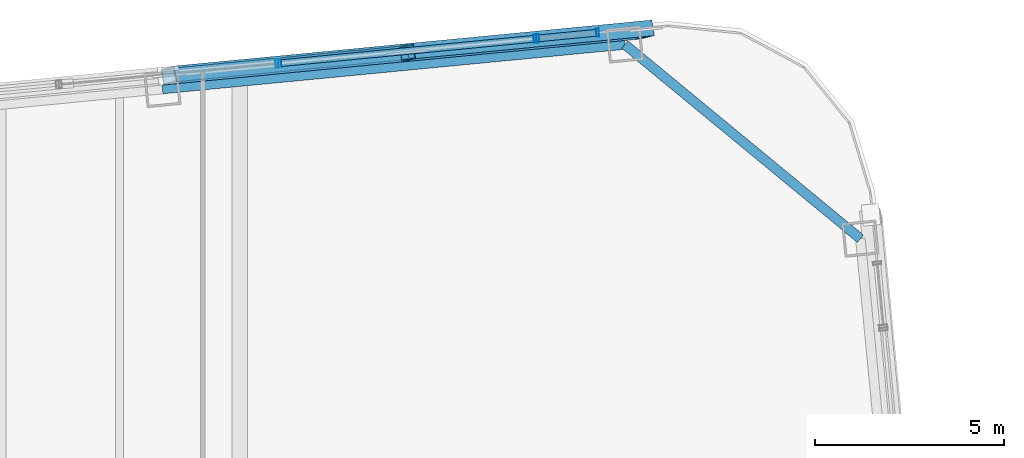
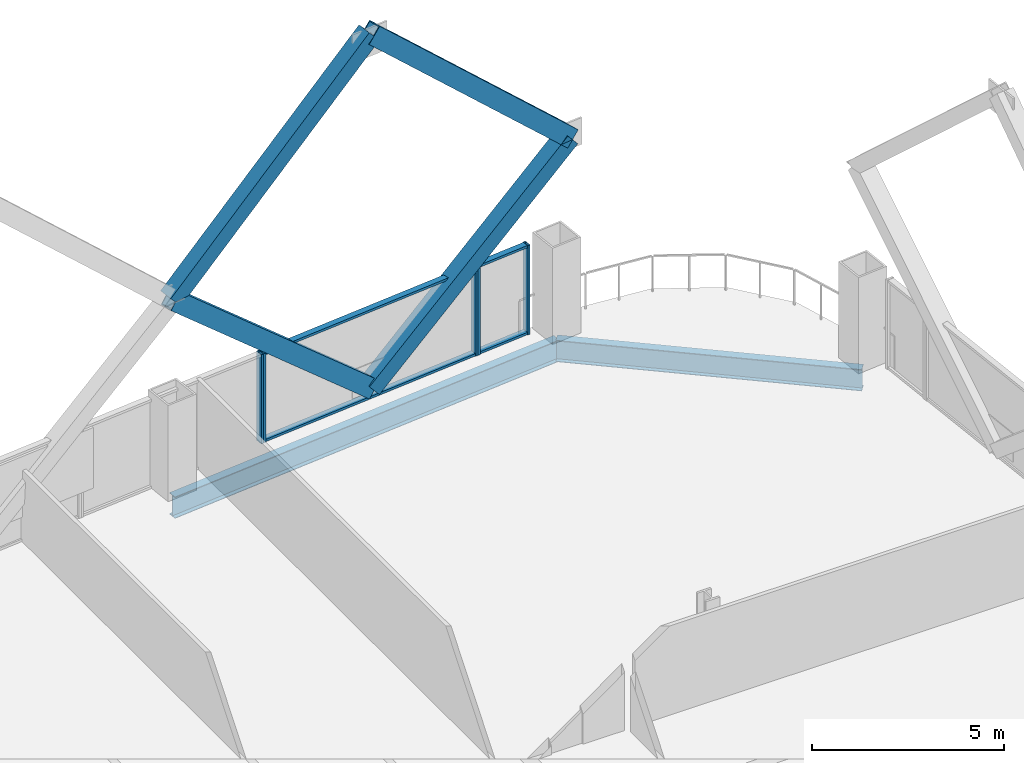
# One storey, part 25 of 32: 13 members, 2 beams, 3 elements without a shape of their own.
"""IFC4 building model written with IfcOpenShell, lengths in metres."""

from ifc_helpers import new_model, si_unit, direction, frame, origin, origin_2d, place, context, subcontext, project, spatial, hollow_rectangle, i_section, extrude, material, layer, layer_set, material_profile, profile_set, type_object, element, aggregate, save


model = new_model("IFC4")

# Units and contexts
model_context = context("Model", 3, precision=1e-05, world=origin(), true_north=direction((0.0, 1.0)))
body_context = subcontext(model_context, "Body", "Model", "MODEL_VIEW")
ifc_project = project(units=[si_unit("LENGTHUNIT", "METRE"), si_unit("AREAUNIT", "SQUARE_METRE"), si_unit("VOLUMEUNIT", "CUBIC_METRE"), si_unit("PLANEANGLEUNIT", "RADIAN"), si_unit("MASSUNIT", "GRAM", prefix="KILO")], contexts=[model_context])

# Site, building, storey
site_placement = place(None, origin())
site = spatial("IfcSite", under=ifc_project, at=site_placement, CompositionType="ELEMENT")
building_placement = place(site_placement, origin())
building = spatial("IfcBuilding", under=site, at=building_placement, Name="Qhalaya Broadcast Tower", CompositionType="ELEMENT")
storey_placement = place(building_placement, frame((0.0, 0.0, 81.64990234375)))
storey = spatial("IfcBuildingStorey", under=building, at=storey_placement, Name="L23", CompositionType="ELEMENT", Elevation=81.64990234375)

# Members
ifc_material_1 = material(Name="Structural Steel ASTM A572 Grade 50", Category="steel")
ifc_material_profile_1 = material_profile(ifc_material_1, hollow_rectangle(XDim=0.419921875, YDim=0.550048828125, WallThickness=0.028076171875, at=origin_2d()), Name="BOX 420x550x28")
ifc_profile_set_1 = profile_set([ifc_material_profile_1], Name="Structural Steel ASTM A572 Grade 50")
member_type_1 = type_object("IfcMemberType", Name="Exoskeleton Diamond Diagonal Mid-Low EX2", PredefinedType="BRACE", material=ifc_profile_set_1)
for number, where, z_axis, x_axis, name in (
    (1, (13.805908203125, 29.08154296875, 0.360107421875), (0.758635580976, 0.073066636585, 0.647405067864), (-0.157193441444, 0.984862499798, 0.073048466507), "B2 Exoskeleton Diamond Brace N1-D1"),
    (2, (13.805908203125, 29.08154296875, 0.360107421875), (-0.758637209183, -0.073037413912, 0.647406457345), (0.157155783857, -0.98486851796, 0.073048353381), "B2 Exoskeleton Diamond Brace N1-D2"),
):
    element("IfcMember", number, at=place(storey_placement, frame(where, z_axis=z_axis, x_axis=x_axis)), inside=storey, type_object=member_type_1, Name=name, PredefinedType="BRACE", context=body_context, shape_type="SweptSolid", body=[
        extrude(hollow_rectangle(XDim=0.419921875, YDim=0.550048828125, WallThickness=0.028076171875, at=origin_2d()), origin(), (0.0, 0.0, 1.0), 8.309814453125),
    ])
for number, where, z_axis, x_axis, name in (
    (3, (20.110107421875, 29.688720703125, 5.739990234375), (-0.730618100613, -0.070368182799, 0.6791505797), (0.160222099068, -0.984570800026, 0.070350683768), "B2 Exoskeleton Diamond Brace N1-D3"),
    (4, (7.501708984375, 28.474609375, 5.739990234375), (0.730619555004, 0.070340028415, 0.679151931638), (-0.160184449091, 0.984576934745, 0.070350563873), "B2 Exoskeleton Diamond Brace N1-D4"),
):
    element("IfcMember", number, at=place(storey_placement, frame(where, z_axis=z_axis, x_axis=x_axis)), inside=storey, type_object=member_type_1, Name=name, PredefinedType="BRACE", context=body_context, shape_type="SweptSolid", body=[
        extrude(hollow_rectangle(XDim=0.419921875, YDim=0.550048828125, WallThickness=0.028076171875, at=origin_2d()), origin(), (0.0, 0.0, 1.0), 8.628662109375),
    ])

# Beams
ifc_material_2 = material(Name="Structural Steel ASTM A992 Grade 50", Category="steel")
ifc_material_profile_2 = material_profile(ifc_material_2, i_section(OverallWidth=0.25390625, OverallDepth=0.68310546875, WebThickness=0.012451171875, FlangeThickness=0.01904296875, at=origin_2d()), Name="W27X94")
ifc_profile_set_2 = profile_set([ifc_material_profile_2], Name="Structural Steel ASTM A992 Grade 50")
beam_type = type_object("IfcBeamType", Name="Perimeter Ring Spandrel Beam SP1", PredefinedType="SPANDREL", material=ifc_profile_set_2)
beam_1_placement = place(storey_placement, frame((25.765380859375, 24.165283203125, -0.5615234375), z_axis=(-0.771633771695, 0.636067073806, 0.0), x_axis=(-0.636067073806, -0.771633771695, 0.0)))
element("IfcBeam", 5, at=beam_1_placement, inside=storey, type_object=beam_type, Name="L23 SP1 L23-SPR-08", PredefinedType="SPANDREL", context=body_context, shape_type="SweptSolid", body=[
    extrude(i_section(OverallWidth=0.25390625, OverallDepth=0.68310546875, WebThickness=0.012451171875, FlangeThickness=0.01904296875, at=origin_2d()), origin(), (0.0, 0.0, 1.0), 8.060791015625),
])
beam_2_placement = place(storey_placement, frame((19.54541015625, 29.29248046875, -0.5615234375), z_axis=(-0.995397535354, -0.095831866369, 0.0), x_axis=(0.095831866369, -0.995397535354, 0.0)))
element("IfcBeam", 6, at=beam_2_placement, inside=storey, type_object=beam_type, Name="L23 SP1 L23-SPR-09", PredefinedType="SPANDREL", context=body_context, shape_type="SweptSolid", body=[
    extrude(i_section(OverallWidth=0.25390625, OverallDepth=0.68310546875, WebThickness=0.012451171875, FlangeThickness=0.01904296875, at=origin_2d()), origin(), (0.0, 0.0, 1.0), 12.2666015625),
])

# Curtain wall, members
ifc_material_3 = material(Name="Solar-Control Low-E Triple Glazing", Category="glass")
ifc_layer_1 = layer(ifc_material_3, 0.219970703125, Name="Solar-Control Low-E Triple Glazing")
ifc_layer_set_1 = layer_set([ifc_layer_1], Name="Solar-Control Low-E Triple Glazing")
curtain_wall_type_1 = type_object("IfcCurtainWallType", Name="Even-Block 4-Storey Double-Module Curtain Wall CW-03", PredefinedType="NOTDEFINED", material=ifc_layer_set_1)
curtain_wall_1_placement = place(storey_placement, origin())
curtain_wall_1 = element("IfcCurtainWall", 7, at=curtain_wall_1_placement, inside=storey, type_object=curtain_wall_type_1, Name="L23 Unitised Curtain Wall L23-CW-N1", PredefinedType="NOTDEFINED")
ifc_material_4 = material(Name="Anodised Aluminium 6063-T6", Category="aluminium")
ifc_material_profile_3 = material_profile(ifc_material_4, hollow_rectangle(XDim=0.074951171875, YDim=0.219970703125, WallThickness=0.00390625, at=origin_2d()), Name="ALU-MUL 75x220x4")
ifc_profile_set_3 = profile_set([ifc_material_profile_3], Name="Anodised Aluminium 6063-T6")
member_type_2 = type_object("IfcMemberType", Name="Unitised Curtain-Wall Mullion M01", PredefinedType="MULLION", material=ifc_profile_set_3)
member_1_placement = place(storey_placement, frame((18.82470703125, 29.60498046875, 0.0), z_axis=(0.0, 0.0, 1.0), x_axis=(-0.995395680125, -0.095851134517, 0.0)))
member_1 = element("IfcMember", 8, at=member_1_placement, type_object=member_type_2, Name="CW-03 mullion 1", PredefinedType="MULLION", context=body_context, shape_type="SweptSolid", body=[
    extrude(hollow_rectangle(XDim=0.074951171875, YDim=0.219970703125, WallThickness=0.00390625, at=origin_2d()), origin(), (0.0, 0.0, 1.0), 2.830078125),
])
member_2_placement = place(storey_placement, frame((17.2451171875, 29.452880859375, 0.0), z_axis=(0.0, 0.0, 1.0), x_axis=(-0.995395680125, -0.095851134517, 0.0)))
member_2 = element("IfcMember", 9, at=member_2_placement, type_object=member_type_2, Name="CW-03 mullion 2", PredefinedType="MULLION", context=body_context, shape_type="SweptSolid", body=[
    extrude(hollow_rectangle(XDim=0.074951171875, YDim=0.219970703125, WallThickness=0.00390625, at=origin_2d()), origin(), (0.0, 0.0, 1.0), 2.830078125),
])

ifc_material_5 = material(Name="Fired Architectural Terracotta", Category="masonry")
ifc_layer_2 = layer(ifc_material_5, 0.219970703125, Name="Fired Architectural Terracotta")
ifc_layer_set_2 = layer_set([ifc_layer_2], Name="Fired Architectural Terracotta")
curtain_wall_type_2 = type_object("IfcCurtainWallType", Name="Block-Cap Unitised Terracotta Spandrel Wall CW-07", PredefinedType="NOTDEFINED", material=ifc_layer_set_2)
curtain_wall_2_placement = place(storey_placement, origin())
curtain_wall_2 = element("IfcCurtainWall", 10, at=curtain_wall_2_placement, inside=storey, type_object=curtain_wall_type_2, Name="L23 Unitised Curtain Wall L23-CW-N2", PredefinedType="NOTDEFINED")
member_3_placement = place(storey_placement, frame((17.17041015625, 29.44580078125, 0.0), z_axis=(0.0, 0.0, 1.0), x_axis=(-0.995395819861, -0.095849683373, 0.0)))
member_3 = element("IfcMember", 11, at=member_3_placement, type_object=member_type_2, Name="CW-07 mullion 1", PredefinedType="MULLION", context=body_context, shape_type="SweptSolid", body=[
    extrude(hollow_rectangle(XDim=0.074951171875, YDim=0.219970703125, WallThickness=0.00390625, at=origin_2d()), origin(), (0.0, 0.0, 1.0), 2.830078125),
])
member_4_placement = place(storey_placement, frame((10.43359375, 28.796875, 0.0), z_axis=(0.0, 0.0, 1.0), x_axis=(-0.995395819861, -0.095849683373, 0.0)))
member_4 = element("IfcMember", 12, at=member_4_placement, type_object=member_type_2, Name="CW-07 mullion 2", PredefinedType="MULLION", context=body_context, shape_type="SweptSolid", body=[
    extrude(hollow_rectangle(XDim=0.074951171875, YDim=0.219970703125, WallThickness=0.00390625, at=origin_2d()), origin(), (0.0, 0.0, 1.0), 2.830078125),
])

# Curtain wall, member
curtain_wall_3_placement = place(storey_placement, origin())
curtain_wall_3 = element("IfcCurtainWall", 13, at=curtain_wall_3_placement, inside=storey, type_object=curtain_wall_type_1, Name="L23 Unitised Curtain Wall L23-CW-N3", PredefinedType="NOTDEFINED")
member_5_placement = place(storey_placement, frame((10.35888671875, 28.789794921875, 0.0), z_axis=(0.0, 0.0, 1.0), x_axis=(-0.995396371729, -0.095843952075, 0.0)))
member_5 = element("IfcMember", 14, at=member_5_placement, type_object=member_type_2, Name="CW-03 mullion 1", PredefinedType="MULLION", context=body_context, shape_type="SweptSolid", body=[
    extrude(hollow_rectangle(XDim=0.074951171875, YDim=0.219970703125, WallThickness=0.00390625, at=origin_2d()), origin(), (0.0, 0.0, 1.0), 2.830078125),
])
aggregate(curtain_wall_3, [member_5])

# Member
ifc_material_profile_4 = material_profile(ifc_material_4, hollow_rectangle(XDim=0.074951171875, YDim=0.179931640625, WallThickness=0.00390625, at=origin_2d()), Name="ALU-TRN 75x180x4")
ifc_profile_set_4 = profile_set([ifc_material_profile_4], Name="Anodised Aluminium 6063-T6")
member_type_3 = type_object("IfcMemberType", Name="Unitised Curtain-Wall Transom T01", PredefinedType="USERDEFINED", material=ifc_profile_set_4)
member_6_placement = place(storey_placement, frame((18.787353515625, 29.601318359375, 0.03759765625), z_axis=(-0.995404293936, -0.095761639569, 0.0), x_axis=(0.0, 0.0, 1.0)))
member_6 = element("IfcMember", 15, at=member_6_placement, type_object=member_type_3, Name="CW-03 transom 1.1", ObjectType="TRANSOM", PredefinedType="USERDEFINED", context=body_context, shape_type="SweptSolid", body=[
    extrude(hollow_rectangle(XDim=0.074951171875, YDim=0.179931640625, WallThickness=0.00390625, at=origin_2d()), origin(), (0.0, 0.0, 1.0), 1.51171875),
])

member_7_placement = place(storey_placement, frame((18.787353515625, 29.601318359375, 2.79248046875), z_axis=(-0.995404293936, -0.095761639569, 0.0), x_axis=(0.0, 0.0, 1.0)))
member_7 = element("IfcMember", 16, at=member_7_placement, type_object=member_type_3, Name="CW-03 transom 1.2", ObjectType="TRANSOM", PredefinedType="USERDEFINED", context=body_context, shape_type="SweptSolid", body=[
    extrude(hollow_rectangle(XDim=0.074951171875, YDim=0.179931640625, WallThickness=0.00390625, at=origin_2d()), origin(), (0.0, 0.0, 1.0), 1.51171875),
])

aggregate(curtain_wall_1, [member_1, member_2, member_6, member_7])

member_8_placement = place(storey_placement, frame((17.133056640625, 29.442138671875, 0.03759765625), z_axis=(-0.995394581881, -0.095862538888, 0.0), x_axis=(0.0, 0.0, 1.0)))
member_8 = element("IfcMember", 17, at=member_8_placement, type_object=member_type_3, Name="CW-07 transom 1.1", ObjectType="TRANSOM", PredefinedType="USERDEFINED", context=body_context, shape_type="SweptSolid", body=[
    extrude(hollow_rectangle(XDim=0.074951171875, YDim=0.179931640625, WallThickness=0.00390625, at=origin_2d()), origin(), (0.0, 0.0, 1.0), 6.69287109375),
])

member_9_placement = place(storey_placement, frame((17.133056640625, 29.442138671875, 2.79248046875), z_axis=(-0.995394581881, -0.095862538888, 0.0), x_axis=(0.0, 0.0, 1.0)))
member_9 = element("IfcMember", 18, at=member_9_placement, type_object=member_type_3, Name="CW-07 transom 1.2", ObjectType="TRANSOM", PredefinedType="USERDEFINED", context=body_context, shape_type="SweptSolid", body=[
    extrude(hollow_rectangle(XDim=0.074951171875, YDim=0.179931640625, WallThickness=0.00390625, at=origin_2d()), origin(), (0.0, 0.0, 1.0), 6.69287109375),
])

aggregate(curtain_wall_2, [member_3, member_4, member_8, member_9])

save(model, "model.ifc")
